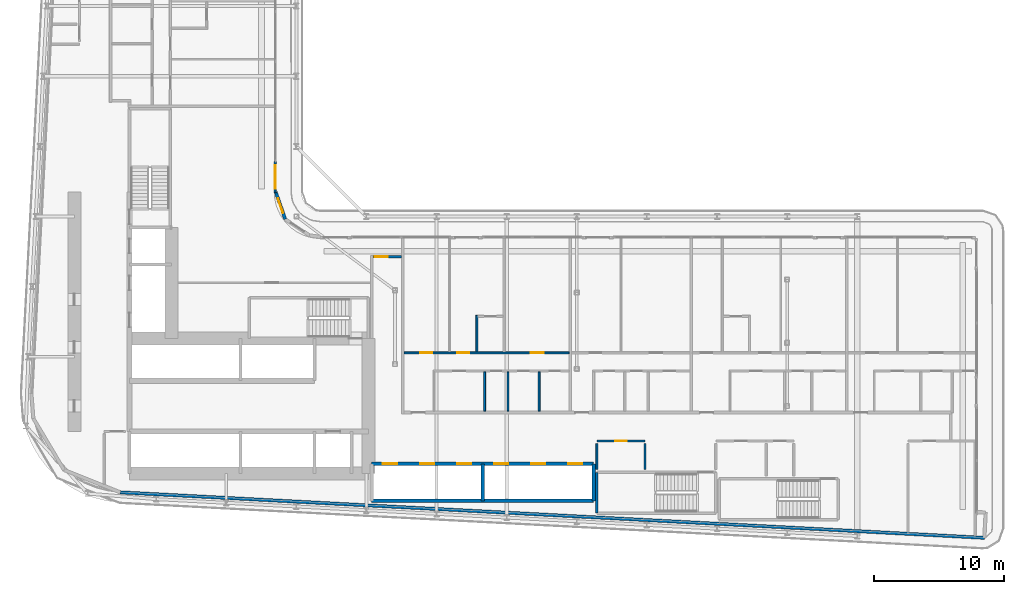
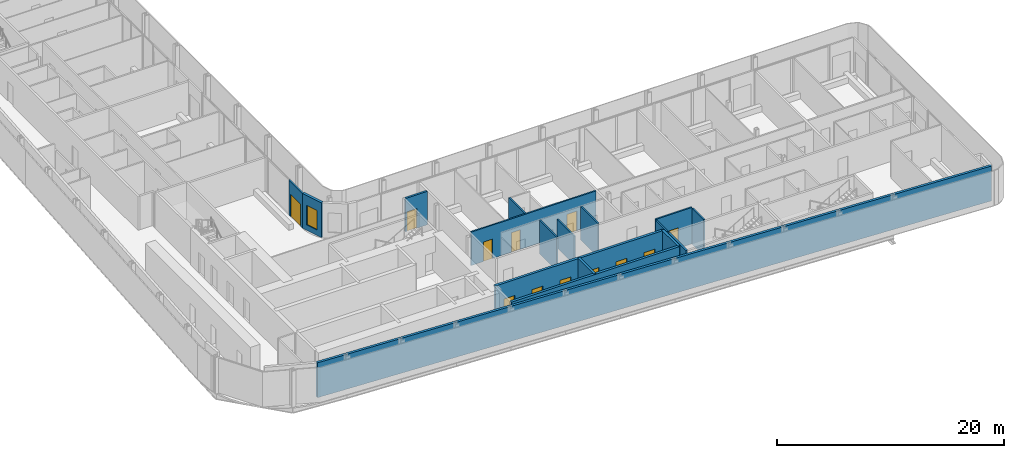
# One storey, part 13 of 27: 17 walls, 12 doors, 1 window, 13 openings.
"""IFC4 building model written with IfcOpenShell, lengths in metres."""

from ifc_helpers import new_model, si_unit, direction, frame, frame_2d, origin, place, context, subcontext, project, spatial, rectangle, extrude, source, transform, mapped, material, layer, layer_set, type_object, element, fill, save


model = new_model("IFC4")

# Units and contexts
model_context = context("Model", 3, precision=1e-05, world=origin(), true_north=direction((0.0, 1.0)))
body_context = subcontext(model_context, "Body", "Model", "MODEL_VIEW")
ifc_project = project(units=[si_unit("LENGTHUNIT", "METRE"), si_unit("AREAUNIT", "SQUARE_METRE"), si_unit("VOLUMEUNIT", "CUBIC_METRE"), si_unit("PLANEANGLEUNIT", "RADIAN"), si_unit("MASSUNIT", "GRAM", prefix="KILO")], contexts=[model_context])

# Site, building, storey
site_placement = place(None, origin())
site = spatial("IfcSite", under=ifc_project, at=site_placement, CompositionType="ELEMENT")
building_placement = place(site_placement, origin())
building = spatial("IfcBuilding", under=site, at=building_placement, Name="Kheshtan School and Residences Tower", CompositionType="ELEMENT")
storey_placement = place(building_placement, frame((0.0, 0.0, 53.89990234375)))
storey = spatial("IfcBuildingStorey", under=building, at=storey_placement, Name="L12", CompositionType="ELEMENT", Elevation=53.89990234375)

# Wall, opening, door
ifc_material_1 = material(Name="Gypsum board on steel studs with fire boards", Category="steel")
ifc_layer_1 = layer(ifc_material_1, 0.199951171875)
ifc_layer_set_1 = layer_set([ifc_layer_1], Name="Corridor wall 200")
wall_type_1 = type_object("IfcWallType", Name="Corridor wall 200", PredefinedType="PARTITIONING", material=ifc_layer_set_1)
wall_1_placement = place(storey_placement, frame((53.5, 42.5, 0.0), z_axis=(0.0, 0.0, 1.0), x_axis=(1.0, 0.0, 0.0)))
wall_1 = element("IfcWall", 1, at=wall_1_placement, inside=storey, type_object=wall_type_1, Name="Partition L12-044", PredefinedType="PARTITIONING", context=body_context, shape_type="SweptSolid", body=[
    extrude(rectangle(XDim=2.199951171875, YDim=0.199951171875, at=frame_2d((1.10009765625, 0.0))), origin(), (0.0, 0.0, 1.0), 3.60009765625),
])
opening_1_placement = place(wall_1_placement, frame((0.14990234375, 0.0, 0.0)))
opening_1 = element("IfcOpeningElement", 2, at=opening_1_placement, cuts=wall_1, Name="Opening D12-059", PredefinedType="OPENING", context=body_context, shape_type="SweptSolid", body=[
    extrude(rectangle(XDim=1.0, YDim=2.10009765625, at=frame_2d((0.5, 1.050048828125))), frame((0.0, 0.10986328125, 0.0), z_axis=(0.0, -1.0, 0.0), x_axis=(1.0, 0.0, 0.0)), (0.0, 0.0, 1.0), 0.219970703125),
])
ifc_material_2 = material(Name="Steel-framed fire-resisting door leaf", Category="steel")
door_type_1 = type_object("IfcDoorType", Name="Fire door FD60 1000 x 2100", OperationType="SINGLE_SWING_LEFT", PredefinedType="DOOR", material=ifc_material_2)
shared_shape_1 = source(origin(), body_context, "Body", "SweptSolid", [
    extrude(rectangle(XDim=1.0, YDim=2.10009765625, at=frame_2d((0.5, 1.050048828125))), frame((0.0, 0.02490234375, 0.0), z_axis=(0.0, -1.0, 0.0), x_axis=(1.0, 0.0, 0.0)), (0.0, 0.0, 1.0), 0.050048828125),
])
door_1_placement = place(opening_1_placement, origin())
door_1 = element("IfcDoor", 3, at=door_1_placement, inside=storey, type_object=door_type_1, Name="Door D12-059", OperationType="SINGLE_SWING_RIGHT", OverallHeight=2.10009765625, OverallWidth=1.0, PredefinedType="DOOR", context=body_context, shape_type="MappedRepresentation", body=[
    mapped(shared_shape_1, transform((0.0, 0.0, 0.0), x_axis=(1.0, 0.0, 0.0), y_axis=(0.0, 1.0, 0.0), z_axis=(0.0, 0.0, 1.0), scale=1.0)),
])
fill(opening_1, door_1)

# Wall, opening, window
ifc_material_3 = material(Name="Concrete C40/50 with ceramic cladding and mineral wool insulation", Category="concrete")
ifc_layer_2 = layer(ifc_material_3, 0.25)
ifc_layer_set_2 = layer_set([ifc_layer_2], Name="External wall 250 ceramic clad")
wall_type_2 = type_object("IfcWallType", Name="External wall 250 ceramic clad", PredefinedType="SOLIDWALL", material=ifc_layer_set_2)
wall_2_placement = place(storey_placement, frame((46.01806640625, 47.470947265625, 0.0), z_axis=(0.0, 0.0, 1.0), x_axis=(0.328791208903, -0.944402637093, 0.0)))
wall_2 = element("IfcWall", 4, at=wall_2_placement, inside=storey, type_object=wall_type_2, Name="External wall L12 9", PredefinedType="SOLIDWALL", context=body_context, shape_type="SweptSolid", body=[
    extrude(rectangle(XDim=2.20458984375, YDim=0.25, at=frame_2d((1.102294921875, 0.0))), origin(), (0.0, 0.0, 1.0), 3.75),
])
opening_2_placement = place(wall_2_placement, frame((0.5029296875, 0.0, 0.60009765625)))
opening_2 = element("IfcOpeningElement", 5, at=opening_2_placement, cuts=wall_2, Name="Opening WN-E", PredefinedType="OPENING", context=body_context, shape_type="SweptSolid", body=[
    extrude(rectangle(XDim=1.199951171875, YDim=2.10009765625, at=frame_2d((0.60009765625, 1.050048828125))), frame((0.0, 0.135009765625, 0.0), z_axis=(0.0, -1.0, 0.0), x_axis=(1.0, 0.0, 0.0)), (0.0, 0.0, 1.0), 0.27001953125),
])
ifc_material_4 = material(Name="Clear low-e glass in thermally broken aluminium frame", Category="aluminium")
window_type = type_object("IfcWindowType", Name="Window WN-E", PartitioningType="SINGLE_PANEL", PredefinedType="WINDOW", material=ifc_material_4)
shared_shape_2 = source(origin(), body_context, "Body", "SweptSolid", [
    extrude(rectangle(XDim=1.199951171875, YDim=2.10009765625, at=frame_2d((0.60009765625, 1.050048828125))), frame((0.0, 0.030029296875, 0.0), z_axis=(0.0, -1.0, 0.0), x_axis=(1.0, 0.0, 0.0)), (0.0, 0.0, 1.0), 0.06005859375),
])
window_placement = place(opening_2_placement, origin())
window = element("IfcWindow", 6, at=window_placement, inside=storey, type_object=window_type, Name="Window L12 9", OverallHeight=2.10009765625, OverallWidth=1.199951171875, PartitioningType="SINGLE_PANEL", PredefinedType="WINDOW", context=body_context, shape_type="MappedRepresentation", body=[
    mapped(shared_shape_2, transform((0.0, 0.0, 0.0), x_axis=(1.0, 0.0, 0.0), y_axis=(0.0, 1.0, 0.0), z_axis=(0.0, 0.0, 1.0), scale=1.0)),
])
fill(opening_2, window)

# Wall
wall_3_placement = place(storey_placement, frame((100.5859375, 20.85009765625, 0.0), z_axis=(0.0, 0.0, 1.0), x_axis=(-0.99861746497, 0.052565755559, 0.0)))
element("IfcWall", 7, at=wall_3_placement, inside=storey, type_object=wall_type_2, Name="External wall L12 16", PredefinedType="SOLIDWALL", context=body_context, shape_type="SweptSolid", body=[
    extrude(rectangle(XDim=66.638916015625, YDim=0.25, at=frame_2d((33.3193359375, 0.0))), origin(), (0.0, 0.0, 1.0), 3.75),
])

# Wall, opening, door
ifc_material_5 = material(Name="Aluminium frame wall with insulated infill", Category="aluminium")
ifc_layer_3 = layer(ifc_material_5, 0.14990234375)
ifc_layer_set_3 = layer_set([ifc_layer_3], Name="Glazing frame wall 150")
wall_type_3 = type_object("IfcWallType", Name="Glazing frame wall 150", PredefinedType="SOLIDWALL", material=ifc_layer_set_3)
wall_4_placement = place(storey_placement, frame((45.97509765625, 49.830078125, 0.0), z_axis=(0.0, 0.0, 1.0), x_axis=(0.0, -1.0, 0.0)))
wall_4 = element("IfcWall", 8, at=wall_4_placement, inside=storey, type_object=wall_type_3, Name="Balcony door wall L12 8.5", PredefinedType="SOLIDWALL", context=body_context, shape_type="SweptSolid", body=[
    extrude(rectangle(XDim=2.400146484375, YDim=0.14990234375, at=frame_2d((1.2001953125, 0.0))), origin(), (0.0, 0.0, 1.0), 3.75),
])
opening_3_placement = place(wall_4_placement, frame((0.300048828125, 0.0, 0.0)))
opening_3 = element("IfcOpeningElement", 9, at=opening_3_placement, cuts=wall_4, Name="Opening BD", PredefinedType="OPENING", context=body_context, shape_type="SweptSolid", body=[
    extrude(rectangle(XDim=1.800048828125, YDim=2.39990234375, at=frame_2d((0.89990234375, 1.199951171875))), frame((0.0, 0.0849609375, 0.0), z_axis=(0.0, -1.0, 0.0), x_axis=(1.0, 0.0, 0.0)), (0.0, 0.0, 1.0), 0.169921875),
])
door_type_2 = type_object("IfcDoorType", Name="Balcony sliding door", OperationType="SLIDING_TO_LEFT", PredefinedType="DOOR", material=ifc_material_4)
shared_shape_3 = source(origin(), body_context, "Body", "SweptSolid", [
    extrude(rectangle(XDim=1.800048828125, YDim=2.39990234375, at=frame_2d((0.89990234375, 1.199951171875))), frame((0.0, 0.02490234375, 0.0), z_axis=(0.0, -1.0, 0.0), x_axis=(1.0, 0.0, 0.0)), (0.0, 0.0, 1.0), 0.050048828125),
])
door_2_placement = place(opening_3_placement, origin())
door_2 = element("IfcDoor", 10, at=door_2_placement, inside=storey, type_object=door_type_2, Name="Balcony door L12 8.5", OperationType="SLIDING_TO_LEFT", OverallHeight=2.39990234375, OverallWidth=1.800048828125, PredefinedType="DOOR", context=body_context, shape_type="MappedRepresentation", body=[
    mapped(shared_shape_3, transform((0.0, 0.0, 0.0), x_axis=(1.0, 0.0, 0.0), y_axis=(0.0, 1.0, 0.0), z_axis=(0.0, 0.0, 1.0), scale=1.0)),
])
fill(opening_3, door_2)

ifc_material_6 = material(Name="Fire-board shaft wall system")
ifc_layer_4 = layer(ifc_material_6, 0.14990234375)
ifc_layer_set_4 = layer_set([ifc_layer_4], Name="Service room wall 150")
wall_type_4 = type_object("IfcWallType", Name="Service room wall 150", PredefinedType="PARTITIONING", material=ifc_layer_set_4)
wall_5_placement = place(storey_placement, frame((70.75, 28.300048828125, 0.0), z_axis=(0.0, 0.0, 1.0), x_axis=(1.0, 0.0, 0.0)))
wall_5 = element("IfcWall", 11, at=wall_5_placement, inside=storey, type_object=wall_type_4, Name="Service room wall", PredefinedType="PARTITIONING", context=body_context, shape_type="SweptSolid", body=[
    extrude(rectangle(XDim=3.7041015625, YDim=0.14990234375, at=frame_2d((1.85205078125, 0.0))), origin(), (0.0, 0.0, 1.0), 3.900146484375),
])
opening_4_placement = place(wall_5_placement, frame((1.402099609375, 0.0, 0.0)))
opening_4 = element("IfcOpeningElement", 12, at=opening_4_placement, cuts=wall_5, Name="Opening SR90", PredefinedType="OPENING", context=body_context, shape_type="SweptSolid", body=[
    extrude(rectangle(XDim=0.89990234375, YDim=2.199951171875, at=frame_2d((0.449951171875, 1.10009765625))), frame((0.0, 0.0849609375, 0.0), z_axis=(0.0, -1.0, 0.0), x_axis=(1.0, 0.0, 0.0)), (0.0, 0.0, 1.0), 0.169921875),
])
ifc_material_7 = material(Name="Steel door leaf, galvanised", Category="steel")
door_type_3 = type_object("IfcDoorType", Name="Service room door 900 steel 90 min", OperationType="SINGLE_SWING_LEFT", PredefinedType="DOOR", material=ifc_material_7)
shared_shape_4 = source(origin(), body_context, "Body", "SweptSolid", [
    extrude(rectangle(XDim=0.89990234375, YDim=2.199951171875, at=frame_2d((0.449951171875, 1.10009765625))), frame((0.0, 0.02490234375, 0.0), z_axis=(0.0, -1.0, 0.0), x_axis=(1.0, 0.0, 0.0)), (0.0, 0.0, 1.0), 0.050048828125),
])
door_3_placement = place(opening_4_placement, origin())
door_3 = element("IfcDoor", 13, at=door_3_placement, inside=storey, type_object=door_type_3, Name="Service room door", OperationType="SINGLE_SWING_LEFT", OverallHeight=2.199951171875, OverallWidth=0.89990234375, PredefinedType="DOOR", context=body_context, shape_type="MappedRepresentation", body=[
    mapped(shared_shape_4, transform((0.0, 0.0, 0.0), x_axis=(1.0, 0.0, 0.0), y_axis=(0.0, 1.0, 0.0), z_axis=(0.0, 0.0, 1.0), scale=1.0)),
])
fill(opening_4, door_3)

# Walls
for number, where, z_axis, x_axis, name in (
    (14, (70.75, 26.1201171875, 0.0), (0.0, 0.0, 1.0), (0.0, 1.0, 0.0), "Service room wall"),
    (15, (74.4541015625, 26.1201171875, 0.0), (0.0, 0.0, 1.0), (0.0, 1.0, 0.0), "Service room wall"),
):
    element("IfcWall", number, at=place(storey_placement, frame(where, z_axis=z_axis, x_axis=x_axis)), inside=storey, type_object=wall_type_4, Name=name, PredefinedType="PARTITIONING", context=body_context, shape_type="SweptSolid", body=[
        extrude(rectangle(XDim=1.98486328125, YDim=0.14990234375, at=frame_2d((0.992431640625, 0.0))), origin(), (0.0, 0.0, 1.0), 3.900146484375),
    ])
ifc_layer_5 = layer(ifc_material_6, 0.25)
ifc_layer_set_5 = layer_set([ifc_layer_5], Name="Shaft lining wall 250")
wall_type_5 = type_object("IfcWallType", Name="Shaft lining wall 250", PredefinedType="PARTITIONING", material=ifc_layer_set_5)
for number, where, z_axis, x_axis, name in (
    (16, (61.949951171875, 23.699951171875, 0.0), (0.0, 0.0, 1.0), (0.0, 1.0, 0.0), "Shaft lining wall"),
    (17, (70.5, 23.699951171875, 0.0), (0.0, 0.0, 1.0), (0.0, 1.0, 0.0), "Shaft lining wall"),
):
    element("IfcWall", number, at=place(storey_placement, frame(where, z_axis=z_axis, x_axis=x_axis)), inside=storey, type_object=wall_type_5, Name=name, PredefinedType="PARTITIONING", context=body_context, shape_type="SweptSolid", body=[
        extrude(rectangle(XDim=2.85009765625, YDim=0.25, at=frame_2d((1.425048828125, 0.0))), origin(), (0.0, 0.0, 1.0), 3.900146484375),
    ])
wall_6_placement = place(storey_placement, frame((53.39990234375, 23.699951171875, 0.0), z_axis=(0.0, 0.0, 1.0), x_axis=(1.0, 0.0, 0.0)))
element("IfcWall", 18, at=wall_6_placement, inside=storey, type_object=wall_type_5, Name="Shaft lining wall", PredefinedType="PARTITIONING", context=body_context, shape_type="SweptSolid", body=[
    extrude(rectangle(XDim=17.10009765625, YDim=0.25, at=frame_2d((8.550048828125, 0.0))), origin(), (0.0, 0.0, 1.0), 3.900146484375),
])

# Wall, openings, doors
wall_7_placement = place(storey_placement, frame((53.39990234375, 26.550048828125, 0.0), z_axis=(0.0, 0.0, 1.0), x_axis=(1.0, 0.0, 0.0)))
wall_7 = element("IfcWall", 19, at=wall_7_placement, inside=storey, type_object=wall_type_5, Name="Shaft lining wall", PredefinedType="PARTITIONING", context=body_context, shape_type="SweptSolid", body=[
    extrude(rectangle(XDim=17.10009765625, YDim=0.25, at=frame_2d((8.550048828125, 0.0))), origin(), (0.0, 0.0, 1.0), 3.900146484375),
])
opening_5_placement = place(wall_7_placement, frame((0.875, 0.0, 0.0)))
opening_5 = element("IfcOpeningElement", 20, at=opening_5_placement, cuts=wall_7, Name="Opening LD", PredefinedType="OPENING", context=body_context, shape_type="SweptSolid", body=[
    extrude(rectangle(XDim=1.10009765625, YDim=2.199951171875, at=frame_2d((0.550048828125, 1.10009765625))), frame((0.0, 0.135009765625, 0.0), z_axis=(0.0, -1.0, 0.0), x_axis=(1.0, 0.0, 0.0)), (0.0, 0.0, 1.0), 0.27001953125),
])
opening_6_placement = place(wall_7_placement, frame((3.72509765625, 0.0, 0.0)))
opening_6 = element("IfcOpeningElement", 21, at=opening_6_placement, cuts=wall_7, Name="Opening LD", PredefinedType="OPENING", context=body_context, shape_type="SweptSolid", body=[
    extrude(rectangle(XDim=1.10009765625, YDim=2.199951171875, at=frame_2d((0.550048828125, 1.10009765625))), frame((0.0, 0.135009765625, 0.0), z_axis=(0.0, -1.0, 0.0), x_axis=(1.0, 0.0, 0.0)), (0.0, 0.0, 1.0), 0.27001953125),
])
opening_7_placement = place(wall_7_placement, frame((6.574951171875, 0.0, 0.0)))
opening_7 = element("IfcOpeningElement", 22, at=opening_7_placement, cuts=wall_7, Name="Opening LD", PredefinedType="OPENING", context=body_context, shape_type="SweptSolid", body=[
    extrude(rectangle(XDim=1.10009765625, YDim=2.199951171875, at=frame_2d((0.550048828125, 1.10009765625))), frame((0.0, 0.135009765625, 0.0), z_axis=(0.0, -1.0, 0.0), x_axis=(1.0, 0.0, 0.0)), (0.0, 0.0, 1.0), 0.27001953125),
])
opening_8_placement = place(wall_7_placement, frame((9.425048828125, 0.0, 0.0)))
opening_8 = element("IfcOpeningElement", 23, at=opening_8_placement, cuts=wall_7, Name="Opening LD", PredefinedType="OPENING", context=body_context, shape_type="SweptSolid", body=[
    extrude(rectangle(XDim=1.10009765625, YDim=2.199951171875, at=frame_2d((0.550048828125, 1.10009765625))), frame((0.0, 0.135009765625, 0.0), z_axis=(0.0, -1.0, 0.0), x_axis=(1.0, 0.0, 0.0)), (0.0, 0.0, 1.0), 0.27001953125),
])
opening_9_placement = place(wall_7_placement, frame((12.27490234375, 0.0, 0.0)))
opening_9 = element("IfcOpeningElement", 24, at=opening_9_placement, cuts=wall_7, Name="Opening LD", PredefinedType="OPENING", context=body_context, shape_type="SweptSolid", body=[
    extrude(rectangle(XDim=1.10009765625, YDim=2.199951171875, at=frame_2d((0.550048828125, 1.10009765625))), frame((0.0, 0.135009765625, 0.0), z_axis=(0.0, -1.0, 0.0), x_axis=(1.0, 0.0, 0.0)), (0.0, 0.0, 1.0), 0.27001953125),
])
opening_10_placement = place(wall_7_placement, frame((15.125, 0.0, 0.0)))
opening_10 = element("IfcOpeningElement", 25, at=opening_10_placement, cuts=wall_7, Name="Opening LD", PredefinedType="OPENING", context=body_context, shape_type="SweptSolid", body=[
    extrude(rectangle(XDim=1.10009765625, YDim=2.199951171875, at=frame_2d((0.550048828125, 1.10009765625))), frame((0.0, 0.135009765625, 0.0), z_axis=(0.0, -1.0, 0.0), x_axis=(1.0, 0.0, 0.0)), (0.0, 0.0, 1.0), 0.27001953125),
])
ifc_material_8 = material(Name="Stainless steel door leaves", Category="steel")
door_type_4 = type_object("IfcDoorType", Name="Lift landing door 1100", OperationType="SLIDING_TO_LEFT", PredefinedType="DOOR", material=ifc_material_8)
shared_shape_5 = source(origin(), body_context, "Body", "SweptSolid", [
    extrude(rectangle(XDim=1.10009765625, YDim=2.199951171875, at=frame_2d((0.550048828125, 1.10009765625))), frame((0.0, 0.02490234375, 0.0), z_axis=(0.0, -1.0, 0.0), x_axis=(1.0, 0.0, 0.0)), (0.0, 0.0, 1.0), 0.050048828125),
])
door_4_placement = place(opening_5_placement, origin())
door_4 = element("IfcDoor", 26, at=door_4_placement, inside=storey, type_object=door_type_4, Name="Lift P1 landing door", OperationType="SLIDING_TO_LEFT", OverallHeight=2.199951171875, OverallWidth=1.10009765625, PredefinedType="DOOR", context=body_context, shape_type="MappedRepresentation", body=[
    mapped(shared_shape_5, transform((0.0, 0.0, 0.0), x_axis=(1.0, 0.0, 0.0), y_axis=(0.0, 1.0, 0.0), z_axis=(0.0, 0.0, 1.0), scale=1.0)),
])
fill(opening_5, door_4)
door_5_placement = place(opening_6_placement, origin())
door_5 = element("IfcDoor", 27, at=door_5_placement, inside=storey, type_object=door_type_4, Name="Lift P2 landing door", OperationType="SLIDING_TO_LEFT", OverallHeight=2.199951171875, OverallWidth=1.10009765625, PredefinedType="DOOR", context=body_context, shape_type="MappedRepresentation", body=[
    mapped(shared_shape_5, transform((0.0, 0.0, 0.0), x_axis=(1.0, 0.0, 0.0), y_axis=(0.0, 1.0, 0.0), z_axis=(0.0, 0.0, 1.0), scale=1.0)),
])
fill(opening_6, door_5)
door_6_placement = place(opening_7_placement, origin())
door_6 = element("IfcDoor", 28, at=door_6_placement, inside=storey, type_object=door_type_4, Name="Lift P3 landing door", OperationType="SLIDING_TO_LEFT", OverallHeight=2.199951171875, OverallWidth=1.10009765625, PredefinedType="DOOR", context=body_context, shape_type="MappedRepresentation", body=[
    mapped(shared_shape_5, transform((0.0, 0.0, 0.0), x_axis=(1.0, 0.0, 0.0), y_axis=(0.0, 1.0, 0.0), z_axis=(0.0, 0.0, 1.0), scale=1.0)),
])
fill(opening_7, door_6)
door_7_placement = place(opening_8_placement, origin())
door_7 = element("IfcDoor", 29, at=door_7_placement, inside=storey, type_object=door_type_4, Name="Lift P4 landing door", OperationType="SLIDING_TO_LEFT", OverallHeight=2.199951171875, OverallWidth=1.10009765625, PredefinedType="DOOR", context=body_context, shape_type="MappedRepresentation", body=[
    mapped(shared_shape_5, transform((0.0, 0.0, 0.0), x_axis=(1.0, 0.0, 0.0), y_axis=(0.0, 1.0, 0.0), z_axis=(0.0, 0.0, 1.0), scale=1.0)),
])
fill(opening_8, door_7)
door_8_placement = place(opening_9_placement, origin())
door_8 = element("IfcDoor", 30, at=door_8_placement, inside=storey, type_object=door_type_4, Name="Lift P5 landing door", OperationType="SLIDING_TO_LEFT", OverallHeight=2.199951171875, OverallWidth=1.10009765625, PredefinedType="DOOR", context=body_context, shape_type="MappedRepresentation", body=[
    mapped(shared_shape_5, transform((0.0, 0.0, 0.0), x_axis=(1.0, 0.0, 0.0), y_axis=(0.0, 1.0, 0.0), z_axis=(0.0, 0.0, 1.0), scale=1.0)),
])
fill(opening_9, door_8)
door_9_placement = place(opening_10_placement, origin())
door_9 = element("IfcDoor", 31, at=door_9_placement, inside=storey, type_object=door_type_4, Name="Lift P6 landing door", OperationType="SLIDING_TO_LEFT", OverallHeight=2.199951171875, OverallWidth=1.10009765625, PredefinedType="DOOR", context=body_context, shape_type="MappedRepresentation", body=[
    mapped(shared_shape_5, transform((0.0, 0.0, 0.0), x_axis=(1.0, 0.0, 0.0), y_axis=(0.0, 1.0, 0.0), z_axis=(0.0, 0.0, 1.0), scale=1.0)),
])
fill(opening_10, door_9)

# Wall
ifc_material_9 = material(Name="Concrete C40/50", Category="concrete")
ifc_layer_6 = layer(ifc_material_9, 0.199951171875)
ifc_layer_set_6 = layer_set([ifc_layer_6], Name="Stair enclosure wall 200 Concrete C40/50")
wall_type_6 = type_object("IfcWallType", Name="Stair enclosure wall 200 Concrete C40/50", PredefinedType="SHEAR", material=ifc_layer_set_6)
wall_8_placement = place(storey_placement, frame((70.75, 22.75, 0.0), z_axis=(0.0, 0.0, 1.0), x_axis=(0.0, 1.0, 0.0)))
element("IfcWall", 32, at=wall_8_placement, inside=storey, type_object=wall_type_6, Name="Stair enclosure wall ST5", PredefinedType="SHEAR", context=body_context, shape_type="SweptSolid", body=[
    extrude(rectangle(XDim=3.14990234375, YDim=0.199951171875, at=frame_2d((1.574951171875, 0.0))), origin(), (0.0, 0.0, 1.0), 3.900146484375),
])

# Wall, openings, doors
ifc_material_10 = material(Name="Moisture-resistant gypsum board on steel studs", Category="steel")
ifc_layer_7 = layer(ifc_material_10, 0.14990234375)
ifc_layer_set_7 = layer_set([ifc_layer_7], Name="Wet-room partition 150")
wall_type_7 = type_object("IfcWallType", Name="Wet-room partition 150", PredefinedType="PARTITIONING", material=ifc_layer_set_7)
wall_9_placement = place(storey_placement, frame((55.89990234375, 35.10009765625, 0.0), z_axis=(0.0, 0.0, 1.0), x_axis=(1.0, 0.0, 0.0)))
wall_9 = element("IfcWall", 33, at=wall_9_placement, inside=storey, type_object=wall_type_7, Name="Partition L12-047", PredefinedType="PARTITIONING", context=body_context, shape_type="SweptSolid", body=[
    extrude(rectangle(XDim=12.7001953125, YDim=0.14990234375, at=frame_2d((6.35009765625, 0.0))), origin(), (0.0, 0.0, 1.0), 3.60009765625),
])
opening_11_placement = place(wall_9_placement, frame((1.25, 0.0, 0.0)))
opening_11 = element("IfcOpeningElement", 34, at=opening_11_placement, cuts=wall_9, Name="Opening D12-002", PredefinedType="OPENING", context=body_context, shape_type="SweptSolid", body=[
    extrude(rectangle(XDim=0.89990234375, YDim=2.10009765625, at=frame_2d((0.449951171875, 1.050048828125))), frame((0.0, 0.0849609375, 0.0), z_axis=(0.0, -1.0, 0.0), x_axis=(1.0, 0.0, 0.0)), (0.0, 0.0, 1.0), 0.169921875),
])
opening_12_placement = place(wall_9_placement, frame((9.75, 0.0, 0.0)))
opening_12 = element("IfcOpeningElement", 35, at=opening_12_placement, cuts=wall_9, Name="Opening D12-007", PredefinedType="OPENING", context=body_context, shape_type="SweptSolid", body=[
    extrude(rectangle(XDim=1.0, YDim=2.10009765625, at=frame_2d((0.5, 1.050048828125))), frame((0.0, 0.0849609375, 0.0), z_axis=(0.0, -1.0, 0.0), x_axis=(1.0, 0.0, 0.0)), (0.0, 0.0, 1.0), 0.169921875),
])
opening_13_placement = place(wall_9_placement, frame((4.10009765625, 0.0, 0.0)))
opening_13 = element("IfcOpeningElement", 36, at=opening_13_placement, cuts=wall_9, Name="Opening D12-008", PredefinedType="OPENING", context=body_context, shape_type="SweptSolid", body=[
    extrude(rectangle(XDim=0.89990234375, YDim=2.10009765625, at=frame_2d((0.449951171875, 1.050048828125))), frame((0.0, 0.0849609375, 0.0), z_axis=(0.0, -1.0, 0.0), x_axis=(1.0, 0.0, 0.0)), (0.0, 0.0, 1.0), 0.169921875),
])
ifc_material_11 = material(Name="Veneered timber door leaf", Category="wood")
door_type_5 = type_object("IfcDoorType", Name="Door 1000 x 2100", OperationType="SINGLE_SWING_LEFT", PredefinedType="DOOR", material=ifc_material_11)
shared_shape_6 = source(origin(), body_context, "Body", "SweptSolid", [
    extrude(rectangle(XDim=1.0, YDim=2.10009765625, at=frame_2d((0.5, 1.050048828125))), frame((0.0, 0.02490234375, 0.0), z_axis=(0.0, -1.0, 0.0), x_axis=(1.0, 0.0, 0.0)), (0.0, 0.0, 1.0), 0.050048828125),
])
door_10_placement = place(opening_12_placement, origin())
door_10 = element("IfcDoor", 37, at=door_10_placement, inside=storey, type_object=door_type_5, Name="Door D12-007", OperationType="SINGLE_SWING_LEFT", OverallHeight=2.10009765625, OverallWidth=1.0, PredefinedType="DOOR", context=body_context, shape_type="MappedRepresentation", body=[
    mapped(shared_shape_6, transform((0.0, 0.0, 0.0), x_axis=(1.0, 0.0, 0.0), y_axis=(0.0, 1.0, 0.0), z_axis=(0.0, 0.0, 1.0), scale=1.0)),
])
fill(opening_12, door_10)
door_type_6 = type_object("IfcDoorType", Name="Door 900 x 2100", OperationType="SINGLE_SWING_LEFT", PredefinedType="DOOR", material=ifc_material_11)
shared_shape_7 = source(origin(), body_context, "Body", "SweptSolid", [
    extrude(rectangle(XDim=0.89990234375, YDim=2.10009765625, at=frame_2d((0.449951171875, 1.050048828125))), frame((0.0, 0.02490234375, 0.0), z_axis=(0.0, -1.0, 0.0), x_axis=(1.0, 0.0, 0.0)), (0.0, 0.0, 1.0), 0.050048828125),
])
door_11_placement = place(opening_11_placement, origin())
door_11 = element("IfcDoor", 38, at=door_11_placement, inside=storey, type_object=door_type_6, Name="Door D12-002", OperationType="SINGLE_SWING_RIGHT", OverallHeight=2.10009765625, OverallWidth=0.89990234375, PredefinedType="DOOR", context=body_context, shape_type="MappedRepresentation", body=[
    mapped(shared_shape_7, transform((0.0, 0.0, 0.0), x_axis=(1.0, 0.0, 0.0), y_axis=(0.0, 1.0, 0.0), z_axis=(0.0, 0.0, 1.0), scale=1.0)),
])
fill(opening_11, door_11)
door_12_placement = place(opening_13_placement, origin())
door_12 = element("IfcDoor", 39, at=door_12_placement, inside=storey, type_object=door_type_6, Name="Door D12-008", OperationType="SINGLE_SWING_RIGHT", OverallHeight=2.10009765625, OverallWidth=0.89990234375, PredefinedType="DOOR", context=body_context, shape_type="MappedRepresentation", body=[
    mapped(shared_shape_7, transform((0.0, 0.0, 0.0), x_axis=(1.0, 0.0, 0.0), y_axis=(0.0, 1.0, 0.0), z_axis=(0.0, 0.0, 1.0), scale=1.0)),
])
fill(opening_13, door_12)

# Walls
wall_10_placement = place(storey_placement, frame((61.5, 35.175048828125, 0.0), z_axis=(0.0, 0.0, 1.0), x_axis=(0.0, 1.0, 0.0)))
element("IfcWall", 40, at=wall_10_placement, inside=storey, type_object=wall_type_7, Name="Partition L12-051", PredefinedType="PARTITIONING", context=body_context, shape_type="SweptSolid", body=[
    extrude(rectangle(XDim=2.800048828125, YDim=0.14990234375, at=frame_2d((1.39990234375, 0.0))), origin(), (0.0, 0.0, 1.0), 3.60009765625),
])
wall_11_placement = place(storey_placement, frame((62.10009765625, 30.60009765625, 0.0), z_axis=(0.0, 0.0, 1.0), x_axis=(0.0, 1.0, 0.0)))
element("IfcWall", 41, at=wall_11_placement, inside=storey, type_object=wall_type_7, Name="Partition L12-053", PredefinedType="PARTITIONING", context=body_context, shape_type="SweptSolid", body=[
    extrude(rectangle(XDim=3.02490234375, YDim=0.14990234375, at=frame_2d((1.512451171875, 0.0))), origin(), (0.0, 0.0, 1.0), 3.60009765625),
])
wall_12_placement = place(storey_placement, frame((63.89990234375, 30.60009765625, 0.0), z_axis=(0.0, 0.0, 1.0), x_axis=(0.0, 1.0, 0.0)))
element("IfcWall", 42, at=wall_12_placement, inside=storey, type_object=wall_type_7, Name="Partition L12-055", PredefinedType="PARTITIONING", context=body_context, shape_type="SweptSolid", body=[
    extrude(rectangle(XDim=3.02490234375, YDim=0.14990234375, at=frame_2d((1.512451171875, 0.0))), origin(), (0.0, 0.0, 1.0), 3.072021484375),
])
wall_13_placement = place(storey_placement, frame((66.300048828125, 30.60009765625, 0.0), z_axis=(0.0, 0.0, 1.0), x_axis=(0.0, 1.0, 0.0)))
element("IfcWall", 43, at=wall_13_placement, inside=storey, type_object=wall_type_7, Name="Partition L12-056", PredefinedType="PARTITIONING", context=body_context, shape_type="SweptSolid", body=[
    extrude(rectangle(XDim=3.02490234375, YDim=0.14990234375, at=frame_2d((1.512451171875, 0.0))), origin(), (0.0, 0.0, 1.0), 3.60009765625),
])

save(model, "model.ifc")
